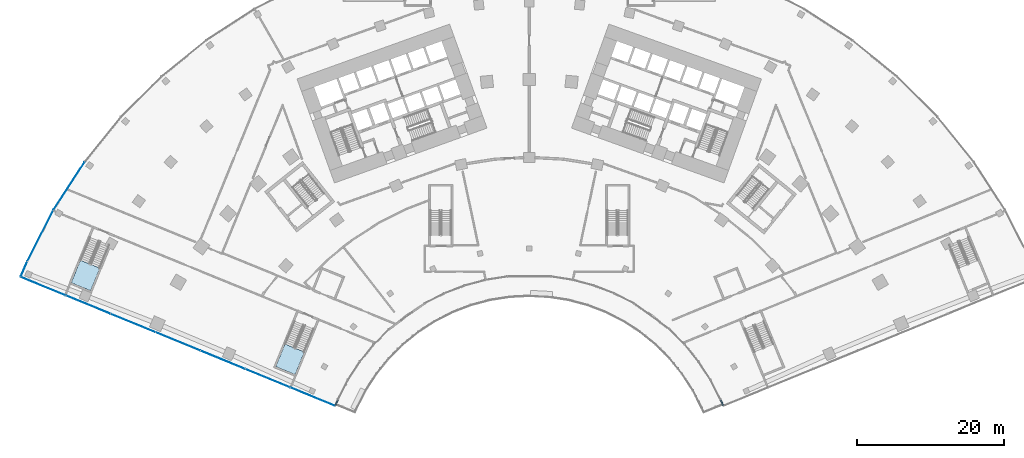
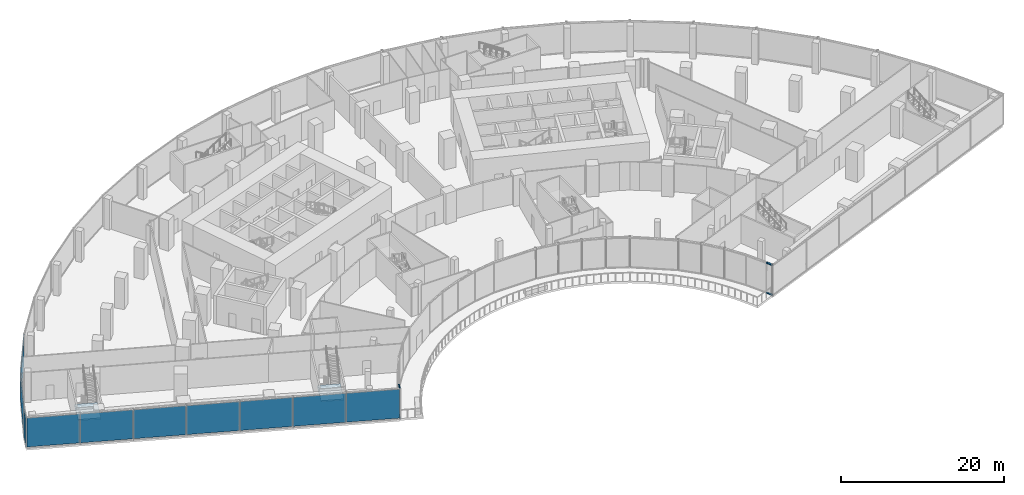
# One storey, part 17 of 39: 10 plates, 4 members, 2 slabs, 5 elements without a shape of their own.
"""IFC4 building model written with IfcOpenShell, lengths in metres."""

import ifcopenshell
import ifcopenshell.guid

model = None  # the IFC model being written
_history = None  # IfcOwnerHistory: only IFC2X3 demands one
_inside = {}  # id of a spatial element -> (the spatial element, [elements in it])
_under = {}  # id of a project, library or spatial element -> (it, [spatial elements below it])
_declared = {}  # id of a project -> (the project, [libraries it declares])
_typed = {}  # id of a type object -> (the type object, [elements of that type])
_made_of = {}  # id of a material, layer set ... -> (it, [elements and type objects made of it])


def new_model(schema):
    """Start an empty IFC model of exactly this schema.

    Asked for "IFC4X3", IfcOpenShell would pick the latest addendum, in which some entities
    have other attributes; the version numbers below select the first issue.
    IFC2X3 requires an IfcOwnerHistory on every rooted entity: one is made here for all.
    """
    global model, _history
    if schema == "IFC4X3":
        model = ifcopenshell.file(schema_version=(4, 3, 0, 0))
    else:
        model = ifcopenshell.file(schema=schema)
    _inside.clear()
    _under.clear()
    _declared.clear()
    _typed.clear()
    _made_of.clear()
    _history = None
    if model.schema == "IFC2X3":
        org = make("IfcOrganization", Name="unknown")
        user = make(
            "IfcPersonAndOrganization",
            ThePerson=make("IfcPerson", FamilyName="unknown"),
            TheOrganization=org,
        )
        app = make(
            "IfcApplication",
            ApplicationDeveloper=org,
            Version="unknown",
            ApplicationFullName="unknown",
            ApplicationIdentifier="unknown",
        )
        _history = make(
            "IfcOwnerHistory",
            OwningUser=user,
            OwningApplication=app,
            ChangeAction="ADDED",
            CreationDate=0,
        )
    return model


def make(cls, **values):
    """One entity of the class cls with the attributes given. An attribute that is None is left unset."""
    return model.create_entity(
        cls, **{name: value for name, value in values.items() if value is not None}
    )


def rooted(cls, **values):
    """An entity with a GlobalId (a new one), such as an element, a storey or a relation."""
    return make(cls, GlobalId=ifcopenshell.guid.new(), OwnerHistory=_history, **values)


def si_unit(unit_type, name, prefix=None):
    """IfcSIUnit, for example si_unit("LENGTHUNIT", "METRE", prefix="MILLI")."""
    return make("IfcSIUnit", UnitType=unit_type, Prefix=prefix, Name=name)


def assignment(units):
    """IfcUnitAssignment: the units of a project."""
    return None if units is None else make("IfcUnitAssignment", Units=units)


def point(xyz):
    """IfcCartesianPoint."""
    return None if xyz is None else make("IfcCartesianPoint", Coordinates=xyz)


def direction(xyz):
    """IfcDirection."""
    return None if xyz is None else make("IfcDirection", DirectionRatios=xyz)


def frame(location, z_axis=None, x_axis=None):
    """IfcAxis2Placement3D, a coordinate frame: its origin and axes. An axis left out is left unset."""
    return make(
        "IfcAxis2Placement3D",
        Location=point(location),
        Axis=direction(z_axis),
        RefDirection=direction(x_axis),
    )


def frame_2d(location, x_axis=None):
    """IfcAxis2Placement2D, a coordinate frame in the plane: its origin and x axis."""
    return make(
        "IfcAxis2Placement2D", Location=point(location), RefDirection=direction(x_axis)
    )


def origin():
    """The frame at (0, 0, 0) with its axes left unset."""
    return frame((0.0, 0.0, 0.0))


def origin_2d():
    """The frame at (0, 0) in the plane with its x axis left unset."""
    return frame_2d((0.0, 0.0))


def place(relative_to, where):
    """IfcLocalPlacement: puts the frame where relative to a parent placement (None: the world)."""
    return make(
        "IfcLocalPlacement", PlacementRelTo=relative_to, RelativePlacement=where
    )


def context(
    kind, dimensions, precision=None, world=None, true_north=None, identifier=None
):
    """IfcGeometricRepresentationContext, for example the 3D "Model" context."""
    return make(
        "IfcGeometricRepresentationContext",
        ContextIdentifier=identifier,
        ContextType=kind,
        CoordinateSpaceDimension=dimensions,
        Precision=precision,
        WorldCoordinateSystem=world,
        TrueNorth=true_north,
    )


def subcontext(parent, identifier, kind, view, scale=None):
    """IfcGeometricRepresentationSubContext, for example "Body" below "Model"."""
    return make(
        "IfcGeometricRepresentationSubContext",
        ContextIdentifier=identifier,
        ContextType=kind,
        ParentContext=parent,
        TargetScale=scale,
        TargetView=view,
    )


def project(units=None, contexts=None):
    """IfcProject with its units and contexts."""
    return rooted(
        "IfcProject",
        Name="project",
        RepresentationContexts=contexts,
        UnitsInContext=assignment(units),
    )


def spatial(cls, under=None, at=None, **own):
    """A site, building, storey or space (cls), placed at a placement, below another one or the project."""
    s = rooted(cls, ObjectPlacement=at, **own)
    if under is not None:
        _under.setdefault(under.id(), (under, []))[1].append(s)
    return s


def polyline(points):
    """IfcPolyline through the points."""
    return make("IfcPolyline", Points=[point(p) for p in points])


def profile(cls, at=None, kind="AREA", **sizes):
    """A parametric profile (cls). Its sizes go by their IFC names, for example OverallWidth=200.0."""
    return make(cls, ProfileType=kind, Position=at, **sizes)


def rectangle(**sizes):
    """IfcRectangleProfileDef."""
    return profile("IfcRectangleProfileDef", **sizes)


def outline(outer, holes=None, kind="AREA"):
    """IfcArbitraryClosedProfileDef: a profile drawn as a closed curve; with holes, ...WithVoids."""
    if holes is None:
        return make("IfcArbitraryClosedProfileDef", ProfileType=kind, OuterCurve=outer)
    return make(
        "IfcArbitraryProfileDefWithVoids",
        ProfileType=kind,
        OuterCurve=outer,
        InnerCurves=holes,
    )


def extrude(swept, where, along, depth):
    """IfcExtrudedAreaSolid: the profile swept, set in the frame where, extruded along a direction by depth."""
    return make(
        "IfcExtrudedAreaSolid",
        SweptArea=swept,
        Position=where,
        ExtrudedDirection=direction(along),
        Depth=depth,
    )


def shape(context_of_items, identifier, shape_type, items):
    """IfcShapeRepresentation: the items that make up one representation, for example the "Body"."""
    return make(
        "IfcShapeRepresentation",
        ContextOfItems=context_of_items,
        RepresentationIdentifier=identifier,
        RepresentationType=shape_type,
        Items=items,
    )


def material(Name=None, Category=None):
    """IfcMaterial."""
    return make("IfcMaterial", Name=Name, Category=Category)


def layer(
    of_material, thickness, ventilated=None, Name=None, Category=None, Priority=None
):
    """IfcMaterialLayer: one layer of a wall or slab, of a material (None: an air gap)."""
    return make(
        "IfcMaterialLayer",
        Material=of_material,
        LayerThickness=thickness,
        IsVentilated=ventilated,
        Name=Name,
        Category=Category,
        Priority=Priority,
    )


def layer_set(layers, Name=None):
    """IfcMaterialLayerSet."""
    return make("IfcMaterialLayerSet", MaterialLayers=layers, LayerSetName=Name)


def material_profile(
    of_material, cross_section, Name=None, Category=None, Priority=None
):
    """IfcMaterialProfile: a cross section and its material."""
    return make(
        "IfcMaterialProfile",
        Name=Name,
        Material=of_material,
        Profile=cross_section,
        Priority=Priority,
        Category=Category,
    )


def profile_set(profiles, Name=None, composite=None):
    """IfcMaterialProfileSet."""
    return make(
        "IfcMaterialProfileSet",
        Name=Name,
        MaterialProfiles=profiles,
        CompositeProfile=composite,
    )


def made_of(thing, what):
    """Note that an element or type object is made of a material, layer set ...; save() writes the relation."""
    if what is not None:
        _made_of.setdefault(what.id(), (what, []))[1].append(thing)
    return thing


def type_object(cls, material=None, **own):
    """A type object (cls), such as IfcWallType, which elements share."""
    return made_of(rooted(cls, **own), material)


def element(
    cls,
    number,
    at=None,
    inside=None,
    cuts=None,
    type_object=None,
    material=None,
    context=None,
    identifier="Body",
    shape_type=None,
    held_by="IfcProductDefinitionShape",
    body=None,
    shapes=None,
    **own,
):
    """One element of the class cls, such as IfcWall. Its Tag is "e" and its number.

    at: its placement. inside: the storey or other place that contains it. cuts: it is an
    opening in that element (IfcRelVoidsElement). A single representation is given by context,
    identifier, shape_type and body (its items); several are given by shapes. held_by: the class
    of the entity that holds the representations. save() writes the other relations.
    """
    e = rooted(cls, Tag="e%d" % number, ObjectPlacement=at, **own)
    if body is not None:
        shapes = [shape(context, identifier, shape_type, body)]
    if shapes is not None:
        e.Representation = make(held_by, Representations=shapes)
    if inside is not None:
        _inside.setdefault(inside.id(), (inside, []))[1].append(e)
    if cuts is not None:
        rooted(
            "IfcRelVoidsElement", RelatingBuildingElement=cuts, RelatedOpeningElement=e
        )
    if type_object is not None:
        _typed.setdefault(type_object.id(), (type_object, []))[1].append(e)
    return made_of(e, material)


def aggregate(whole, parts):
    """IfcRelAggregates: a whole, such as a stair, and the parts it consists of."""
    return rooted("IfcRelAggregates", RelatingObject=whole, RelatedObjects=parts)


def save(model, path):
    """Write the relations noted so far, then the file.

    IfcRelAggregates (storeys below a building ...), IfcRelContainedInSpatialStructure (elements
    in a storey), IfcRelDefinesByType, IfcRelAssociatesMaterial and IfcRelDeclares: one each for
    every whole, place, type object, material and project.
    """
    for whole, parts in _under.values():
        aggregate(whole, parts)
    for where, things in _inside.values():
        rooted(
            "IfcRelContainedInSpatialStructure",
            RelatedElements=things,
            RelatingStructure=where,
        )
    for kind, things in _typed.values():
        rooted("IfcRelDefinesByType", RelatedObjects=things, RelatingType=kind)
    for what, things in _made_of.values():
        rooted("IfcRelAssociatesMaterial", RelatedObjects=things, RelatingMaterial=what)
    for by, libraries in _declared.values():
        rooted("IfcRelDeclares", RelatingContext=by, RelatedDefinitions=libraries)
    model.write(path)


model = new_model("IFC4")

# Units and contexts
model_context = context("Model", 3, precision=1e-05, world=origin(), true_north=direction((0.0, 1.0)))
body_context = subcontext(model_context, "Body", "Model", "MODEL_VIEW")
ifc_project = project(units=[si_unit("LENGTHUNIT", "METRE"), si_unit("AREAUNIT", "SQUARE_METRE"), si_unit("VOLUMEUNIT", "CUBIC_METRE"), si_unit("PLANEANGLEUNIT", "RADIAN"), si_unit("MASSUNIT", "GRAM", prefix="KILO")], contexts=[model_context])

# Site, building, storey
site_placement = place(None, origin())
site = spatial("IfcSite", under=ifc_project, at=site_placement, CompositionType="ELEMENT")
building_placement = place(site_placement, origin())
building = spatial("IfcBuilding", under=site, at=building_placement, Name="Stone Belt Terrace Tower", CompositionType="ELEMENT")
storey_placement = place(building_placement, frame((0.0, 0.0, 20.800048828125)))
storey = spatial("IfcBuildingStorey", under=building, at=storey_placement, Name="L04", CompositionType="ELEMENT", Elevation=20.800048828125)

# Curtain wall, members
ifc_material_1 = material(Name="Aluminium 6063-T6 anodised frame", Category="aluminium")
ifc_layer_1 = layer(ifc_material_1, 0.14990234375)
ifc_layer_set_1 = layer_set([ifc_layer_1], Name="CW-D podium shopfront")
curtain_wall_type = type_object("IfcCurtainWallType", Name="CW-D podium shopfront", PredefinedType="NOTDEFINED", material=ifc_layer_set_1)
curtain_wall_1_placement = place(storey_placement, origin())
curtain_wall_1 = element("IfcCurtainWall", 1, at=curtain_wall_1_placement, inside=storey, type_object=curtain_wall_type, Name="CW-D concave face L04", PredefinedType="NOTDEFINED")
ifc_material_profile = material_profile(ifc_material_1, rectangle(XDim=0.14990234375, YDim=0.139892578125, at=origin_2d()), Name="Aluminium 6063-T6 150x140")
ifc_profile_set = profile_set([ifc_material_profile], Name="Aluminium 6063-T6 anodised frame")
member_type = type_object("IfcMemberType", Name="CW-D transom 140 x 150", PredefinedType="USERDEFINED", material=ifc_profile_set)
member_1_placement = place(storey_placement, frame((-26.302001953125, 10.779052734375, 0.070068359375), z_axis=(0.392981338173, 0.919546446814, 0.0), x_axis=(-0.919546446814, 0.392981338173, 0.0)))
member_1 = element("IfcMember", 2, at=member_1_placement, type_object=member_type, Name="CW-D transom 1.1", ObjectType="TRANSOM", PredefinedType="USERDEFINED", context=body_context, shape_type="SweptSolid", body=[
    extrude(rectangle(XDim=0.14990234375, YDim=0.139892578125, at=origin_2d()), origin(), (0.0, 0.0, 1.0), 0.81689453125),
])
member_2_placement = place(storey_placement, frame((-26.302001953125, 10.779052734375, 4.530029296875), z_axis=(0.392981338173, 0.919546446814, 0.0), x_axis=(-0.919546446814, 0.392981338173, 0.0)))
member_2 = element("IfcMember", 3, at=member_2_placement, type_object=member_type, Name="CW-D transom 1.2", ObjectType="TRANSOM", PredefinedType="USERDEFINED", context=body_context, shape_type="SweptSolid", body=[
    extrude(rectangle(XDim=0.14990234375, YDim=0.139892578125, at=origin_2d()), origin(), (0.0, 0.0, 1.0), 0.81689453125),
])
member_3_placement = place(storey_placement, frame((25.98095703125, 11.5302734375, 0.070068359375), z_axis=(0.392981338173, -0.919546446814, 0.0), x_axis=(0.919546446814, 0.392981338173, 0.0)))
member_3 = element("IfcMember", 4, at=member_3_placement, type_object=member_type, Name="CW-D transom 21.1", ObjectType="TRANSOM", PredefinedType="USERDEFINED", context=body_context, shape_type="SweptSolid", body=[
    extrude(rectangle(XDim=0.14990234375, YDim=0.139892578125, at=origin_2d()), origin(), (0.0, 0.0, 1.0), 0.81689453125),
])
member_4_placement = place(storey_placement, frame((25.98095703125, 11.5302734375, 4.530029296875), z_axis=(0.392981338173, -0.919546446814, 0.0), x_axis=(0.919546446814, 0.392981338173, 0.0)))
member_4 = element("IfcMember", 5, at=member_4_placement, type_object=member_type, Name="CW-D transom 21.2", ObjectType="TRANSOM", PredefinedType="USERDEFINED", context=body_context, shape_type="SweptSolid", body=[
    extrude(rectangle(XDim=0.14990234375, YDim=0.139892578125, at=origin_2d()), origin(), (0.0, 0.0, 1.0), 0.81689453125),
])
aggregate(curtain_wall_1, [member_1, member_2, member_3, member_4])

# Curtain wall, plates
curtain_wall_2_placement = place(storey_placement, origin())
curtain_wall_2 = element("IfcCurtainWall", 6, at=curtain_wall_2_placement, inside=storey, type_object=curtain_wall_type, Name="CW-D convex face L04", PredefinedType="NOTDEFINED")
ifc_material_2 = material(Name="Clear double glazed unit")
ifc_layer_2 = layer(ifc_material_2, 0.031982421875)
ifc_layer_set_2 = layer_set([ifc_layer_2], Name="CW-D glass panel 32")
plate_type = type_object("IfcPlateType", Name="CW-D glass panel 32", PredefinedType="CURTAIN_PANEL", material=ifc_layer_set_2)
plate_1_placement = place(storey_placement, frame((-62.458251953125, 40.560791015625, 0.14013671875), z_axis=(0.0, 0.0, 1.0), x_axis=(-0.544639035015, -0.838670567945, 0.0)))
plate_1 = element("IfcPlate", 7, at=plate_1_placement, type_object=plate_type, Name="CW-D panel 22.1", PredefinedType="CURTAIN_PANEL", context=body_context, shape_type="SweptSolid", body=[
    extrude(rectangle(XDim=7.738037109375, YDim=0.031982421875, at=origin_2d()), origin(), (0.0, 0.0, 1.0), 4.320068359375),
])
plate_2_placement = place(storey_placement, frame((-66.355712890625, 33.81005859375, 0.14013671875), z_axis=(0.0, 0.0, 1.0), x_axis=(-0.45399049974, -0.891006524188, 0.0)))
plate_2 = element("IfcPlate", 8, at=plate_2_placement, type_object=plate_type, Name="CW-D panel 23.1", PredefinedType="CURTAIN_PANEL", context=body_context, shape_type="SweptSolid", body=[
    extrude(rectangle(XDim=7.738037109375, YDim=0.031982421875, at=origin_2d()), origin(), (0.0, 0.0, 1.0), 4.320068359375),
])
plate_3_placement = place(storey_placement, frame((-68.572021484375, 29.292724609375, 0.14013671875), z_axis=(0.0, 0.0, 1.0), x_axis=(-0.393033792222, -0.919524028056, 0.0)))
plate_3 = element("IfcPlate", 9, at=plate_3_placement, type_object=plate_type, Name="CW-D panel 24.1", PredefinedType="CURTAIN_PANEL", context=body_context, shape_type="SweptSolid", body=[
    extrude(rectangle(XDim=2.19921875, YDim=0.031982421875, at=origin_2d()), origin(), (0.0, 0.0, 1.0), 4.320068359375),
])
aggregate(curtain_wall_2, [plate_1, plate_2, plate_3])

curtain_wall_3_placement = place(storey_placement, origin())
curtain_wall_3 = element("IfcCurtainWall", 10, at=curtain_wall_3_placement, inside=storey, type_object=curtain_wall_type, Name="CW-D end face L04", PredefinedType="NOTDEFINED")
plate_4_placement = place(storey_placement, frame((-65.9375, 26.944091796875, 0.14013671875), z_axis=(0.0, 0.0, 1.0), x_axis=(0.925297074342, -0.379243093825, 0.0)))
plate_4 = element("IfcPlate", 11, at=plate_4_placement, type_object=plate_type, Name="CW-D panel 1.1", PredefinedType="CURTAIN_PANEL", context=body_context, shape_type="SweptSolid", body=[
    extrude(rectangle(XDim=6.54296875, YDim=0.031982421875, at=origin_2d()), origin(), (0.0, 0.0, 1.0), 4.320068359375),
])
plate_5_placement = place(storey_placement, frame((-59.84228515625, 24.446044921875, 0.14013671875), z_axis=(0.0, 0.0, 1.0), x_axis=(0.925297074342, -0.379243093825, 0.0)))
plate_5 = element("IfcPlate", 12, at=plate_5_placement, type_object=plate_type, Name="CW-D panel 2.1", PredefinedType="CURTAIN_PANEL", context=body_context, shape_type="SweptSolid", body=[
    extrude(rectangle(XDim=6.511474609375, YDim=0.031982421875, at=origin_2d()), origin(), (0.0, 0.0, 1.0), 4.320068359375),
])
plate_6_placement = place(storey_placement, frame((-53.76171875, 21.953857421875, 0.14013671875), z_axis=(0.0, 0.0, 1.0), x_axis=(0.925297074342, -0.379243093825, 0.0)))
plate_6 = element("IfcPlate", 13, at=plate_6_placement, type_object=plate_type, Name="CW-D panel 3.1", PredefinedType="CURTAIN_PANEL", context=body_context, shape_type="SweptSolid", body=[
    extrude(rectangle(XDim=6.511474609375, YDim=0.031982421875, at=origin_2d()), origin(), (0.0, 0.0, 1.0), 4.320068359375),
])
plate_7_placement = place(storey_placement, frame((-47.68115234375, 19.461669921875, 0.14013671875), z_axis=(0.0, 0.0, 1.0), x_axis=(0.925297074342, -0.379243093825, 0.0)))
plate_7 = element("IfcPlate", 14, at=plate_7_placement, type_object=plate_type, Name="CW-D panel 4.1", PredefinedType="CURTAIN_PANEL", context=body_context, shape_type="SweptSolid", body=[
    extrude(rectangle(XDim=6.511474609375, YDim=0.031982421875, at=origin_2d()), origin(), (0.0, 0.0, 1.0), 4.320068359375),
])
plate_8_placement = place(storey_placement, frame((-41.600830078125, 16.969482421875, 0.14013671875), z_axis=(0.0, 0.0, 1.0), x_axis=(0.925297074342, -0.379243093825, 0.0)))
plate_8 = element("IfcPlate", 15, at=plate_8_placement, type_object=plate_type, Name="CW-D panel 5.1", PredefinedType="CURTAIN_PANEL", context=body_context, shape_type="SweptSolid", body=[
    extrude(rectangle(XDim=6.511474609375, YDim=0.031982421875, at=origin_2d()), origin(), (0.0, 0.0, 1.0), 4.320068359375),
])
plate_9_placement = place(storey_placement, frame((-35.520263671875, 14.477294921875, 0.14013671875), z_axis=(0.0, 0.0, 1.0), x_axis=(0.925297074342, -0.379243093825, 0.0)))
plate_9 = element("IfcPlate", 16, at=plate_9_placement, type_object=plate_type, Name="CW-D panel 6.1", PredefinedType="CURTAIN_PANEL", context=body_context, shape_type="SweptSolid", body=[
    extrude(rectangle(XDim=6.511474609375, YDim=0.031982421875, at=origin_2d()), origin(), (0.0, 0.0, 1.0), 4.320068359375),
])
plate_10_placement = place(storey_placement, frame((-29.42578125, 11.9794921875, 0.14013671875), z_axis=(0.0, 0.0, 1.0), x_axis=(0.925297074342, -0.379243093825, 0.0)))
plate_10 = element("IfcPlate", 17, at=plate_10_placement, type_object=plate_type, Name="CW-D panel 7.1", PredefinedType="CURTAIN_PANEL", context=body_context, shape_type="SweptSolid", body=[
    extrude(rectangle(XDim=6.541259765625, YDim=0.031982421875, at=origin_2d()), origin(), (0.0, 0.0, 1.0), 4.320068359375),
])
aggregate(curtain_wall_3, [plate_4, plate_5, plate_6, plate_7, plate_8, plate_9, plate_10])

# Stair, slab
ifc_material_3 = material(Name="Concrete B30", Category="concrete")
stair_type = type_object("IfcStairType", Name="Podium stair concrete B30", PredefinedType="HALF_TURN_STAIR", material=ifc_material_3)
stair_1_placement = place(storey_placement, origin())
stair_1 = element("IfcStair", 18, at=stair_1_placement, inside=storey, type_object=stair_type, Name="L04 podium exit stair 1", PredefinedType="HALF_TURN_STAIR")
ifc_layer_3 = layer(ifc_material_3, 0.199951171875)
ifc_layer_set_3 = layer_set([ifc_layer_3], Name="Podium stair landing concrete B30")
slab_type = type_object("IfcSlabType", Name="Podium stair landing concrete B30", PredefinedType="LANDING", material=ifc_layer_set_3)
slab_1_placement = place(storey_placement, frame((0.0, 0.0, 2.099853515625)))
slab_1 = element("IfcSlab", 19, at=slab_1_placement, type_object=slab_type, Name="PS1 landing 1", PredefinedType="LANDING", context=body_context, shape_type="SweptSolid", body=[
    extrude(outline(polyline([(-33.15283203125, 19.11376953125), (-34.4091796875, 16.04833984375), (-31.772216796875, 14.967529296875), (-30.515625, 18.032958984375), (-33.15283203125, 19.11376953125)])), origin(), (0.0, 0.0, 1.0), 0.2001953125),
])
aggregate(stair_1, [slab_1])

stair_2_placement = place(storey_placement, origin())
stair_2 = element("IfcStair", 20, at=stair_2_placement, inside=storey, type_object=stair_type, Name="L04 podium exit stair 2", PredefinedType="HALF_TURN_STAIR")
slab_2_placement = place(storey_placement, frame((0.0, 0.0, 2.099853515625)))
slab_2 = element("IfcSlab", 21, at=slab_2_placement, type_object=slab_type, Name="PS2 landing 1", PredefinedType="LANDING", context=body_context, shape_type="SweptSolid", body=[
    extrude(outline(polyline([(-60.91162109375, 30.4912109375), (-62.168212890625, 27.425537109375), (-59.531005859375, 26.3447265625), (-58.274658203125, 29.410400390625), (-60.91162109375, 30.4912109375)])), origin(), (0.0, 0.0, 1.0), 0.2001953125),
])
aggregate(stair_2, [slab_2])

save(model, "model.ifc")
